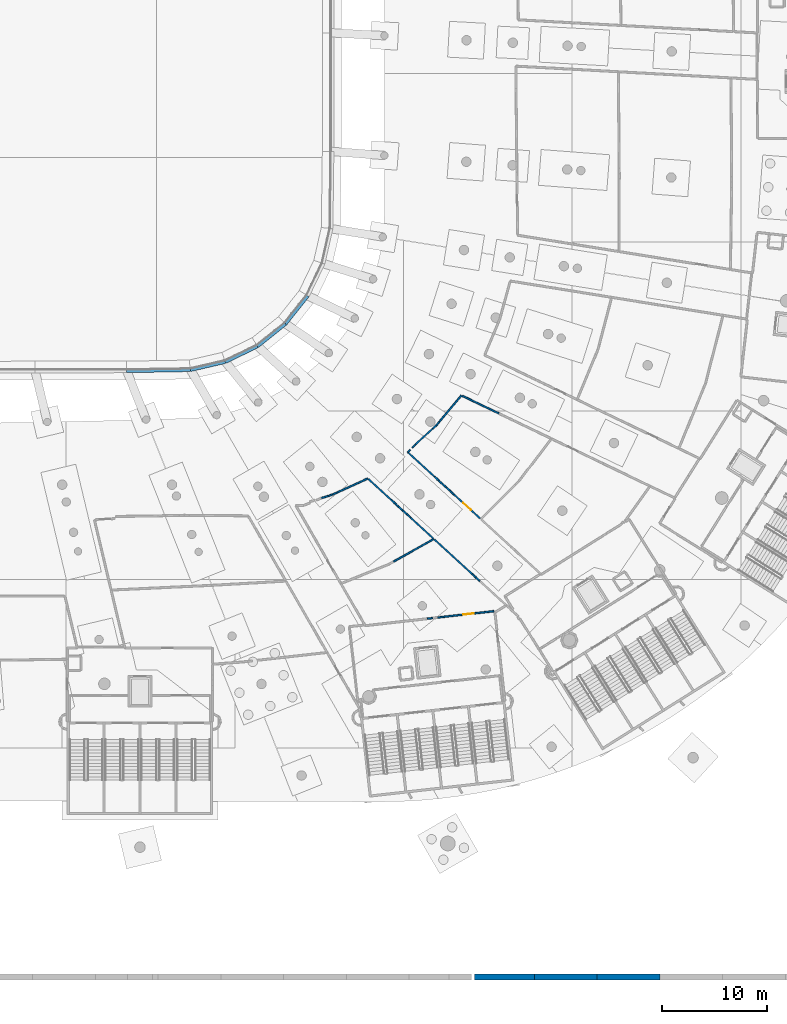
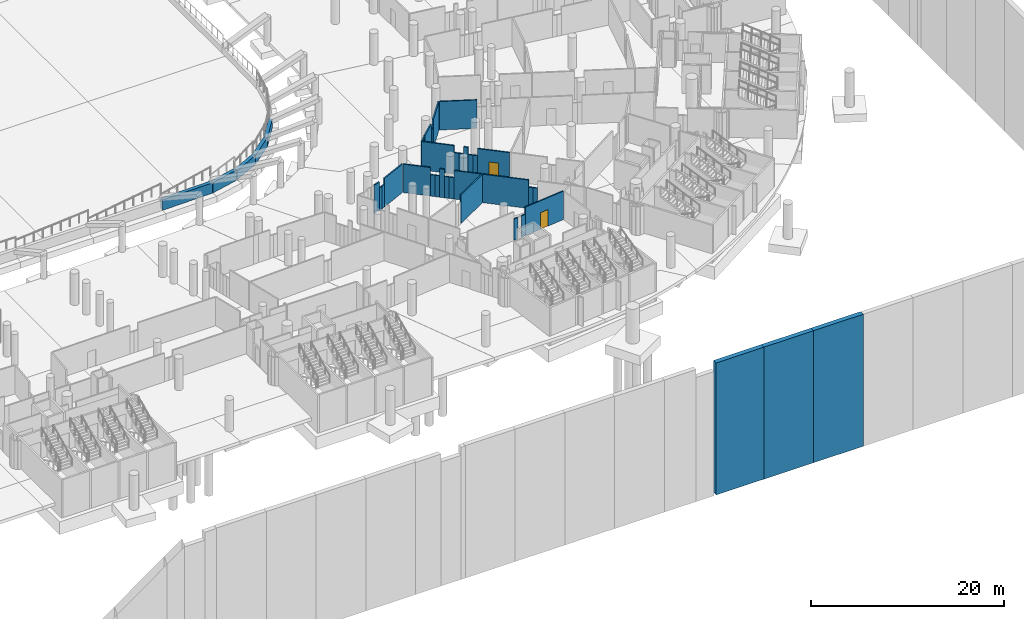
# One storey, part 54 of 142: 40 walls, 2 doors, 2 openings.
"""IFC4 building model written with IfcOpenShell, lengths in metres."""

from ifc_helpers import new_model, si_unit, direction, frame, frame_2d, origin, place, context, subcontext, project, spatial, rectangle, extrude, material, layer, layer_set, type_object, element, fill, save


model = new_model("IFC4")

# Units and contexts
model_context = context("Model", 3, precision=1e-05, world=origin(), true_north=direction((0.0, 1.0)))
body_context = subcontext(model_context, "Body", "Model", "MODEL_VIEW")
ifc_project = project(units=[si_unit("LENGTHUNIT", "METRE"), si_unit("AREAUNIT", "SQUARE_METRE"), si_unit("VOLUMEUNIT", "CUBIC_METRE"), si_unit("PLANEANGLEUNIT", "RADIAN"), si_unit("MASSUNIT", "GRAM", prefix="KILO")], contexts=[model_context])

# Site, building, storey
site_placement = place(None, origin())
site = spatial("IfcSite", under=ifc_project, at=site_placement, CompositionType="ELEMENT")
building_placement = place(site_placement, origin())
building = spatial("IfcBuilding", under=site, at=building_placement, Name="Meseta Stadium", CompositionType="ELEMENT")
storey_placement = place(building_placement, frame((0.0, 0.0, -4.0)))
storey = spatial("IfcBuildingStorey", under=building, at=storey_placement, Name="B1", CompositionType="ELEMENT", Elevation=-4.0)

# Walls
ifc_material_1 = material(Name="Masonry blockwork", Category="masonry")
ifc_layer_1 = layer(ifc_material_1, 0.14990234375)
ifc_layer_set_1 = layer_set([ifc_layer_1], Name="Partition 150")
wall_type_1 = type_object("IfcWallType", Name="Partition 150", PredefinedType="PARTITIONING", material=ifc_layer_set_1)
wall_1_placement = place(storey_placement, frame((50.88330078125, -76.15673828125, 0.0), z_axis=(0.0, 0.0, 1.0), x_axis=(-0.871726265014, -0.489993182487, 0.0)))
element("IfcWall", 1, at=wall_1_placement, inside=storey, type_object=wall_type_1, Name="Partition B1 B1-cell25-1-0", PredefinedType="PARTITIONING", context=body_context, shape_type="SweptSolid", body=[
    extrude(rectangle(XDim=4.4111328125, YDim=0.14990234375, at=frame_2d((2.20556640625, 0.0))), origin(), (0.0, 0.0, 1.0), 3.60009765625),
])
wall_2_placement = place(storey_placement, frame((40.189697265625, -72.285888671875, 0.0), z_axis=(0.0, 0.0, 1.0), x_axis=(0.954261887415, 0.298971989035, 0.0)))
element("IfcWall", 2, at=wall_2_placement, inside=storey, type_object=wall_type_1, Name="Partition B1 B1-cell25-1-0", PredefinedType="PARTITIONING", context=body_context, shape_type="SweptSolid", body=[
    extrude(rectangle(XDim=0.7578125, YDim=0.14990234375, at=frame_2d((0.37890625, 0.0))), origin(), (0.0, 0.0, 1.0), 3.60009765625),
])
wall_3_placement = place(storey_placement, frame((40.912841796875, -72.059326171875, 0.0), z_axis=(0.0, 0.0, 1.0), x_axis=(0.954319427846, 0.298788268907, 0.0)))
element("IfcWall", 3, at=wall_3_placement, inside=storey, type_object=wall_type_1, Name="Partition B1 B1-cell25-1-0", PredefinedType="PARTITIONING", context=body_context, shape_type="SweptSolid", body=[
    extrude(rectangle(XDim=0.379150390625, YDim=0.14990234375, at=frame_2d((0.189453125, 0.0))), origin(), (0.0, 0.0, 1.0), 2.85009765625),
])
wall_4_placement = place(storey_placement, frame((41.274658203125, -71.946044921875, 0.0), z_axis=(0.0, 0.0, 1.0), x_axis=(0.909417011364, 0.415885440285, 0.0)))
element("IfcWall", 4, at=wall_4_placement, inside=storey, type_object=wall_type_1, Name="Partition B1 B1-cell25-1-0", PredefinedType="PARTITIONING", context=body_context, shape_type="SweptSolid", body=[
    extrude(rectangle(XDim=0.458984375, YDim=0.14990234375, at=frame_2d((0.2294921875, 0.0))), origin(), (0.0, 0.0, 1.0), 2.85009765625),
])
wall_5_placement = place(storey_placement, frame((41.692138671875, -71.755126953125, 0.0), z_axis=(0.0, 0.0, 1.0), x_axis=(0.909581934744, 0.415524612975, 0.0)))
element("IfcWall", 5, at=wall_5_placement, inside=storey, type_object=wall_type_1, Name="Partition B1 B1-cell25-1-0", PredefinedType="PARTITIONING", context=body_context, shape_type="SweptSolid", body=[
    extrude(rectangle(XDim=3.21435546875, YDim=0.14990234375, at=frame_2d((1.607177734375, 0.0))), origin(), (0.0, 0.0, 1.0), 3.60009765625),
])
wall_6_placement = place(storey_placement, frame((44.676025390625, -70.474609375, 0.0), z_axis=(0.0, 0.0, 1.0), x_axis=(0.737633349571, -0.675201482226, 0.0)))
element("IfcWall", 6, at=wall_6_placement, inside=storey, type_object=wall_type_1, Name="Partition B1 B1-cell25-1-0", PredefinedType="PARTITIONING", context=body_context, shape_type="SweptSolid", body=[
    extrude(rectangle(XDim=2.917236328125, YDim=0.14990234375, at=frame_2d((1.45849609375, 0.0))), origin(), (0.0, 0.0, 1.0), 3.60009765625),
])
wall_7_placement = place(storey_placement, frame((46.827880859375, -72.4443359375, 0.0), z_axis=(0.0, 0.0, 1.0), x_axis=(0.737660549035, -0.675171766588, 0.0)))
element("IfcWall", 7, at=wall_7_placement, inside=storey, type_object=wall_type_1, Name="Partition B1 B1-cell25-1-0", PredefinedType="PARTITIONING", context=body_context, shape_type="SweptSolid", body=[
    extrude(rectangle(XDim=0.5, YDim=0.14990234375, at=frame_2d((0.25, 0.0))), origin(), (0.0, 0.0, 1.0), 2.699951171875),
])
wall_8_placement = place(storey_placement, frame((47.19677734375, -72.781982421875, 0.0), z_axis=(0.0, 0.0, 1.0), x_axis=(0.737458354514, -0.675392608309, 0.0)))
element("IfcWall", 8, at=wall_8_placement, inside=storey, type_object=wall_type_1, Name="Partition B1 B1-cell25-1-0", PredefinedType="PARTITIONING", context=body_context, shape_type="SweptSolid", body=[
    extrude(rectangle(XDim=0.49951171875, YDim=0.14990234375, at=frame_2d((0.249755859375, 0.0))), origin(), (0.0, 0.0, 1.0), 2.699951171875),
])
wall_9_placement = place(storey_placement, frame((47.565185546875, -73.119384765625, 0.0), z_axis=(0.0, 0.0, 1.0), x_axis=(0.73790372497, -0.674905988027, 0.0)))
element("IfcWall", 9, at=wall_9_placement, inside=storey, type_object=wall_type_1, Name="Partition B1 B1-cell25-1-0", PredefinedType="PARTITIONING", context=body_context, shape_type="SweptSolid", body=[
    extrude(rectangle(XDim=0.5, YDim=0.14990234375, at=frame_2d((0.25, 0.0))), origin(), (0.0, 0.0, 1.0), 3.60009765625),
])
wall_10_placement = place(storey_placement, frame((47.93408203125, -73.456787109375, 0.0), z_axis=(0.0, 0.0, 1.0), x_axis=(0.737681160119, -0.675149247208, 0.0)))
element("IfcWall", 10, at=wall_10_placement, inside=storey, type_object=wall_type_1, Name="Partition B1 B1-cell25-1-0", PredefinedType="PARTITIONING", context=body_context, shape_type="SweptSolid", body=[
    extrude(rectangle(XDim=0.499755859375, YDim=0.14990234375, at=frame_2d((0.25, 0.0))), origin(), (0.0, 0.0, 1.0), 2.699951171875),
])
wall_11_placement = place(storey_placement, frame((48.302734375, -73.794189453125, 0.0), z_axis=(0.0, 0.0, 1.0), x_axis=(0.737437882339, -0.67541496111, 0.0)))
element("IfcWall", 11, at=wall_11_placement, inside=storey, type_object=wall_type_1, Name="Partition B1 B1-cell25-1-0", PredefinedType="PARTITIONING", context=body_context, shape_type="SweptSolid", body=[
    extrude(rectangle(XDim=0.5, YDim=0.14990234375, at=frame_2d((0.25, 0.0))), origin(), (0.0, 0.0, 1.0), 2.699951171875),
])
wall_12_placement = place(storey_placement, frame((48.67138671875, -74.1318359375, 0.0), z_axis=(0.0, 0.0, 1.0), x_axis=(0.737605152987, -0.675232284689, 0.0)))
element("IfcWall", 12, at=wall_12_placement, inside=storey, type_object=wall_type_1, Name="Partition B1 B1-cell25-1-0", PredefinedType="PARTITIONING", context=body_context, shape_type="SweptSolid", body=[
    extrude(rectangle(XDim=2.919921875, YDim=0.14990234375, at=frame_2d((1.4599609375, 0.0))), origin(), (0.0, 0.0, 1.0), 3.60009765625),
])
wall_13_placement = place(storey_placement, frame((50.920166015625, -76.1904296875, 0.0), z_axis=(0.0, 0.0, 1.0), x_axis=(0.737613311295, -0.675223372671, 0.0)))
element("IfcWall", 13, at=wall_13_placement, inside=storey, type_object=wall_type_1, Name="Partition B1 B1-cell25-2-0", PredefinedType="PARTITIONING", context=body_context, shape_type="SweptSolid", body=[
    extrude(rectangle(XDim=4.875732421875, YDim=0.14990234375, at=frame_2d((2.43798828125, 0.0))), origin(), (0.0, 0.0, 1.0), 3.60009765625),
])
for number, where, z_axis, x_axis, name in (
    (14, (54.5166015625, -79.482666015625, 0.0), (0.0, 0.0, 1.0), (0.737465790757, -0.675384488616, 0.0), "Partition B1 B1-cell25-2-0"),
    (15, (54.876220703125, -79.81201171875, 0.0), (0.0, 0.0, 1.0), (0.737715187833, -0.675112065987, 0.0), "Partition B1 B1-cell25-2-0"),
):
    element("IfcWall", number, at=place(storey_placement, frame(where, z_axis=z_axis, x_axis=x_axis)), inside=storey, type_object=wall_type_1, Name=name, PredefinedType="PARTITIONING", context=body_context, shape_type="SweptSolid", body=[
        extrude(rectangle(XDim=0.487548828125, YDim=0.14990234375, at=frame_2d((0.24365234375, 0.0))), origin(), (0.0, 0.0, 1.0), 2.699951171875),
    ])

# Wall, opening, door
wall_14_placement = place(storey_placement, frame((56.587158203125, -83.007080078125, 0.0), z_axis=(0.0, 0.0, 1.0), x_axis=(-0.993710844617, -0.111976592605, 0.0)))
wall_14 = element("IfcWall", 16, at=wall_14_placement, inside=storey, type_object=wall_type_1, Name="Partition B1 B1-cell25-2-0", PredefinedType="PARTITIONING", context=body_context, shape_type="SweptSolid", body=[
    extrude(rectangle(XDim=4.873046875, YDim=0.14990234375, at=frame_2d((2.4365234375, 0.0))), origin(), (0.0, 0.0, 1.0), 3.60009765625),
])
opening_1_placement = place(wall_14_placement, frame((1.949951171875, 0.0, 0.0)))
opening_1 = element("IfcOpeningElement", 17, at=opening_1_placement, cuts=wall_14, Name="Opening D505", PredefinedType="OPENING", context=body_context, shape_type="SweptSolid", body=[
    extrude(rectangle(XDim=1.0, YDim=2.10009765625, at=frame_2d((0.5, 1.050048828125))), frame((0.0, 0.0849609375, 0.0), z_axis=(0.0, -1.0, 0.0), x_axis=(1.0, 0.0, 0.0)), (0.0, 0.0, 1.0), 0.169921875),
])
ifc_material_2 = material(Name="Steel", Category="steel")
door_type_1 = type_object("IfcDoorType", Name="Fire door 1000x2100 EI2 120", OperationType="NOTDEFINED", PredefinedType="DOOR", material=ifc_material_2)
door_1_placement = place(opening_1_placement, origin())
door_1 = element("IfcDoor", 18, at=door_1_placement, inside=storey, type_object=door_type_1, Name="Door D505", OperationType="SINGLE_SWING_LEFT", OverallHeight=2.10009765625, OverallWidth=1.0, PredefinedType="DOOR", context=body_context, shape_type="SweptSolid", body=[
    extrude(rectangle(XDim=1.0, YDim=2.10009765625, at=frame_2d((0.5, 1.050048828125))), frame((0.0, 0.02490234375, 0.0), z_axis=(0.0, -1.0, 0.0), x_axis=(1.0, 0.0, 0.0)), (0.0, 0.0, 1.0), 0.050048828125),
])
fill(opening_1, door_1)

# Walls
for number, where, z_axis, x_axis, name in (
    (19, (51.744873046875, -83.552734375, 0.0), (0.0, 0.0, 1.0), (-0.993707998725, -0.112001844941, 0.0), "Partition B1 B1-cell25-2-0"),
    (20, (50.761474609375, -83.66357421875, 0.0), (0.0, 0.0, 1.0), (-0.993707998725, -0.112001844941, 0.0), "Partition B1 B1-cell25-2-0"),
):
    element("IfcWall", number, at=place(storey_placement, frame(where, z_axis=z_axis, x_axis=x_axis)), inside=storey, type_object=wall_type_1, Name=name, PredefinedType="PARTITIONING", context=body_context, shape_type="SweptSolid", body=[
        extrude(rectangle(XDim=0.494873046875, YDim=0.14990234375, at=frame_2d((0.24755859375, 0.0))), origin(), (0.0, 0.0, 1.0), 2.699951171875),
    ])

# Wall, opening, door
wall_15_placement = place(storey_placement, frame((55.28955078125, -74.22509765625, 0.0), z_axis=(0.0, 0.0, 1.0), x_axis=(-0.737592778543, 0.675245801942, 0.0)))
wall_15 = element("IfcWall", 21, at=wall_15_placement, inside=storey, type_object=wall_type_1, Name="Partition B1 B1-cell26-1-0", PredefinedType="PARTITIONING", context=body_context, shape_type="SweptSolid", body=[
    extrude(rectangle(XDim=3.39501953125, YDim=0.14990234375, at=frame_2d((1.697509765625, 0.0))), origin(), (0.0, 0.0, 1.0), 3.60009765625),
])
opening_2_placement = place(wall_15_placement, frame((1.199951171875, 0.0, 0.0)))
opening_2 = element("IfcOpeningElement", 22, at=opening_2_placement, cuts=wall_15, Name="Opening D507", PredefinedType="OPENING", context=body_context, shape_type="SweptSolid", body=[
    extrude(rectangle(XDim=1.0, YDim=2.10009765625, at=frame_2d((0.5, 1.050048828125))), frame((0.0, 0.0849609375, 0.0), z_axis=(0.0, -1.0, 0.0), x_axis=(1.0, 0.0, 0.0)), (0.0, 0.0, 1.0), 0.169921875),
])
ifc_material_3 = material(Name="Steel", Category="steel")
door_type_2 = type_object("IfcDoorType", Name="Fire door 1000x2100 EI2 60", OperationType="NOTDEFINED", PredefinedType="DOOR", material=ifc_material_3)
door_2_placement = place(opening_2_placement, origin())
door_2 = element("IfcDoor", 23, at=door_2_placement, inside=storey, type_object=door_type_2, Name="Door D507", OperationType="SINGLE_SWING_RIGHT", OverallHeight=2.10009765625, OverallWidth=1.0, PredefinedType="DOOR", context=body_context, shape_type="SweptSolid", body=[
    extrude(rectangle(XDim=1.0, YDim=2.10009765625, at=frame_2d((0.5, 1.050048828125))), frame((0.0, 0.02490234375, 0.0), z_axis=(0.0, -1.0, 0.0), x_axis=(1.0, 0.0, 0.0)), (0.0, 0.0, 1.0), 0.050048828125),
])
fill(opening_2, door_2)

# Walls
wall_16_placement = place(storey_placement, frame((52.785400390625, -71.9326171875, 0.0), z_axis=(0.0, 0.0, 1.0), x_axis=(-0.737685383135, 0.67514463303, 0.0)))
element("IfcWall", 24, at=wall_16_placement, inside=storey, type_object=wall_type_1, Name="Partition B1 B1-cell26-1-0", PredefinedType="PARTITIONING", context=body_context, shape_type="SweptSolid", body=[
    extrude(rectangle(XDim=0.495849609375, YDim=0.14990234375, at=frame_2d((0.248046875, 0.0))), origin(), (0.0, 0.0, 1.0), 2.699951171875),
])
wall_17_placement = place(storey_placement, frame((52.419677734375, -71.597900390625, 0.0), z_axis=(0.0, 0.0, 1.0), x_axis=(-0.737460793515, 0.675389945163, 0.0)))
element("IfcWall", 25, at=wall_17_placement, inside=storey, type_object=wall_type_1, Name="Partition B1 B1-cell26-1-0", PredefinedType="PARTITIONING", context=body_context, shape_type="SweptSolid", body=[
    extrude(rectangle(XDim=0.49560546875, YDim=0.14990234375, at=frame_2d((0.247802734375, 0.0))), origin(), (0.0, 0.0, 1.0), 2.699951171875),
])
wall_18_placement = place(storey_placement, frame((52.05419921875, -71.26318359375, 0.0), z_axis=(0.0, 0.0, 1.0), x_axis=(-0.737685383135, 0.67514463303, 0.0)))
element("IfcWall", 26, at=wall_18_placement, inside=storey, type_object=wall_type_1, Name="Partition B1 B1-cell26-1-0", PredefinedType="PARTITIONING", context=body_context, shape_type="SweptSolid", body=[
    extrude(rectangle(XDim=0.495849609375, YDim=0.14990234375, at=frame_2d((0.248046875, 0.0))), origin(), (0.0, 0.0, 1.0), 3.60009765625),
])
for number, where, z_axis, x_axis, name in (
    (27, (51.6884765625, -70.928466796875, 0.0), (0.0, 0.0, 1.0), (-0.737685383135, 0.67514463303, 0.0), "Partition B1 B1-cell26-1-0"),
    (28, (51.32275390625, -70.59375, 0.0), (0.0, 0.0, 1.0), (-0.737685383135, 0.67514463303, 0.0), "Partition B1 B1-cell26-1-0"),
):
    element("IfcWall", number, at=place(storey_placement, frame(where, z_axis=z_axis, x_axis=x_axis)), inside=storey, type_object=wall_type_1, Name=name, PredefinedType="PARTITIONING", context=body_context, shape_type="SweptSolid", body=[
        extrude(rectangle(XDim=0.495849609375, YDim=0.14990234375, at=frame_2d((0.248046875, 0.0))), origin(), (0.0, 0.0, 1.0), 2.699951171875),
    ])
wall_19_placement = place(storey_placement, frame((50.95703125, -70.259033203125, 0.0), z_axis=(0.0, 0.0, 1.0), x_axis=(-0.737621239647, 0.675214711645, 0.0)))
element("IfcWall", 29, at=wall_19_placement, inside=storey, type_object=wall_type_1, Name="Partition B1 B1-cell26-1-0", PredefinedType="PARTITIONING", context=body_context, shape_type="SweptSolid", body=[
    extrude(rectangle(XDim=3.469970703125, YDim=0.14990234375, at=frame_2d((1.73486328125, 0.0))), origin(), (0.0, 0.0, 1.0), 3.60009765625),
])
wall_20_placement = place(storey_placement, frame((48.3974609375, -67.916015625, 0.0), z_axis=(0.0, 0.0, 1.0), x_axis=(0.715528371605, 0.698583673892, 0.0)))
element("IfcWall", 30, at=wall_20_placement, inside=storey, type_object=wall_type_1, Name="Partition B1 B1-cell26-1-0", PredefinedType="PARTITIONING", context=body_context, shape_type="SweptSolid", body=[
    extrude(rectangle(XDim=0.31689453125, YDim=0.14990234375, at=frame_2d((0.158447265625, 0.0))), origin(), (0.0, 0.0, 1.0), 3.60009765625),
])
wall_21_placement = place(storey_placement, frame((48.827880859375, -67.49560546875, 0.0), z_axis=(0.0, 0.0, 1.0), x_axis=(0.70342811346, 0.710766409726, 0.0)))
element("IfcWall", 31, at=wall_21_placement, inside=storey, type_object=wall_type_1, Name="Partition B1 B1-cell26-1-0", PredefinedType="PARTITIONING", context=body_context, shape_type="SweptSolid", body=[
    extrude(rectangle(XDim=0.4658203125, YDim=0.14990234375, at=frame_2d((0.23291015625, 0.0))), origin(), (0.0, 0.0, 1.0), 3.60009765625),
])
wall_22_placement = place(storey_placement, frame((49.155517578125, -67.16455078125, 0.0), z_axis=(0.0, 0.0, 1.0), x_axis=(0.738911838094, 0.673802118967, 0.0)))
element("IfcWall", 32, at=wall_22_placement, inside=storey, type_object=wall_type_1, Name="Partition B1 B1-cell26-1-0", PredefinedType="PARTITIONING", context=body_context, shape_type="SweptSolid", body=[
    extrude(rectangle(XDim=2.193603515625, YDim=0.14990234375, at=frame_2d((1.0966796875, 0.0))), origin(), (0.0, 0.0, 1.0), 3.60009765625),
])
wall_23_placement = place(storey_placement, frame((50.7763671875, -65.6865234375, 0.0), z_axis=(0.0, 0.0, 1.0), x_axis=(0.738906956051, 0.673807472724, 0.0)))
element("IfcWall", 33, at=wall_23_placement, inside=storey, type_object=wall_type_1, Name="Partition B1 B1-cell26-1-0", PredefinedType="PARTITIONING", context=body_context, shape_type="SweptSolid", body=[
    extrude(rectangle(XDim=0.438720703125, YDim=0.14990234375, at=frame_2d((0.21923828125, 0.0))), origin(), (0.0, 0.0, 1.0), 2.85009765625),
])
wall_24_placement = place(storey_placement, frame((51.1005859375, -65.390869140625, 0.0), z_axis=(0.0, 0.0, 1.0), x_axis=(0.645425435236, 0.763823282933, 0.0)))
element("IfcWall", 34, at=wall_24_placement, inside=storey, type_object=wall_type_1, Name="Partition B1 B1-cell26-1-0", PredefinedType="PARTITIONING", context=body_context, shape_type="SweptSolid", body=[
    extrude(rectangle(XDim=0.466064453125, YDim=0.14990234375, at=frame_2d((0.23291015625, 0.0))), origin(), (0.0, 0.0, 1.0), 2.85009765625),
])
wall_25_placement = place(storey_placement, frame((51.4013671875, -65.034912109375, 0.0), z_axis=(0.0, 0.0, 1.0), x_axis=(0.64527787395, 0.76394794678, 0.0)))
element("IfcWall", 35, at=wall_25_placement, inside=storey, type_object=wall_type_1, Name="Partition B1 B1-cell26-1-0", PredefinedType="PARTITIONING", context=body_context, shape_type="SweptSolid", body=[
    extrude(rectangle(XDim=3.262939453125, YDim=0.14990234375, at=frame_2d((1.63134765625, 0.0))), origin(), (0.0, 0.0, 1.0), 3.60009765625),
])
wall_26_placement = place(storey_placement, frame((53.57666015625, -62.57568359375, 0.0), z_axis=(0.0, 0.0, 1.0), x_axis=(0.901195166142, -0.433413512159, 0.0)))
element("IfcWall", 36, at=wall_26_placement, inside=storey, type_object=wall_type_1, Name="Partition B1 B1-cell26-1-0", PredefinedType="PARTITIONING", context=body_context, shape_type="SweptSolid", body=[
    extrude(rectangle(XDim=3.906982421875, YDim=0.14990234375, at=frame_2d((1.95361328125, 0.0))), origin(), (0.0, 0.0, 1.0), 3.60009765625),
])
ifc_material_4 = material(Name="Concrete C40/50", Category="concrete")
ifc_layer_2 = layer(ifc_material_4, 0.39990234375)
ifc_layer_set_2 = layer_set([ifc_layer_2], Name="Pitch wall 400")
wall_type_2 = type_object("IfcWallType", Name="Pitch wall 400", PredefinedType="SOLIDWALL", material=ifc_layer_set_2)
wall_27_placement = place(storey_placement, frame((21.740478515625, -60.185791015625, -0.39990234375), z_axis=(0.0, 0.0, 1.0), x_axis=(0.999843268182, 0.017704210522, 0.0)))
element("IfcWall", 37, at=wall_27_placement, inside=storey, type_object=wall_type_2, Name="Pitch wall bay 50", PredefinedType="SOLIDWALL", context=body_context, shape_type="SweptSolid", body=[
    extrude(rectangle(XDim=6.0400390625, YDim=0.39990234375, at=frame_2d((3.02001953125, 0.0))), origin(), (0.0, 0.0, 1.0), 1.314453125),
])
wall_28_placement = place(storey_placement, frame((27.779541015625, -60.078857421875, -0.39990234375), z_axis=(0.0, 0.0, 1.0), x_axis=(0.974178208336, 0.225780465063, 0.0)))
element("IfcWall", 38, at=wall_28_placement, inside=storey, type_object=wall_type_2, Name="Pitch wall bay 51", PredefinedType="SOLIDWALL", context=body_context, shape_type="SweptSolid", body=[
    extrude(rectangle(XDim=3.3876953125, YDim=0.39990234375, at=frame_2d((1.69384765625, 0.0))), origin(), (0.0, 0.0, 1.0), 1.295654296875),
])
wall_29_placement = place(storey_placement, frame((31.079833984375, -59.31396484375, -0.39990234375), z_axis=(0.0, 0.0, 1.0), x_axis=(0.899795244886, 0.436312407893, 0.0)))
element("IfcWall", 39, at=wall_29_placement, inside=storey, type_object=wall_type_2, Name="Pitch wall bay 52", PredefinedType="SOLIDWALL", context=body_context, shape_type="SweptSolid", body=[
    extrude(rectangle(XDim=3.387451171875, YDim=0.39990234375, at=frame_2d((1.69384765625, 0.0))), origin(), (0.0, 0.0, 1.0), 1.15869140625),
])
for number, where, z_axis, x_axis, name in (
    (40, (34.1279296875, -57.8359375, -0.39990234375), (0.0, 0.0, 1.0), (0.780608604491, 0.625020164951, 0.0), "Pitch wall bay 53"),
    (41, (36.7724609375, -55.718505859375, -0.39990234375), (0.0, 0.0, 1.0), (0.622451335574, 0.782658504612, 0.0), "Pitch wall bay 54"),
):
    element("IfcWall", number, at=place(storey_placement, frame(where, z_axis=z_axis, x_axis=x_axis)), inside=storey, type_object=wall_type_2, Name=name, PredefinedType="SOLIDWALL", context=body_context, shape_type="SweptSolid", body=[
        extrude(rectangle(XDim=3.3876953125, YDim=0.39990234375, at=frame_2d((1.69384765625, 0.0))), origin(), (0.0, 0.0, 1.0), 1.15869140625),
    ])
ifc_material_5 = material(Name="Concrete C30/37", Category="concrete")
ifc_layer_3 = layer(ifc_material_5, 0.550048828125)
ifc_layer_set_3 = layer_set([ifc_layer_3], Name="Site retaining wall 550")
wall_type_3 = type_object("IfcWallType", Name="Site retaining wall 550", PredefinedType="SOLIDWALL", material=ifc_layer_set_3)
wall_30_placement = place(storey_placement, frame((54.719482421875, -117.72509765625, -13.0), z_axis=(0.0, 0.0, 1.0), x_axis=(1.0, 0.0, 0.0)))
element("IfcWall", 42, at=wall_30_placement, inside=storey, type_object=wall_type_3, Name="Site retaining wall 40", PredefinedType="SOLIDWALL", context=body_context, shape_type="SweptSolid", body=[
    extrude(rectangle(XDim=5.708740234375, YDim=0.550048828125, at=frame_2d((2.8544921875, 0.0))), origin(), (0.0, 0.0, 1.0), 16.699951171875),
])
for number, where, z_axis, x_axis, name in (
    (43, (60.42822265625, -117.72509765625, -13.0), (0.0, 0.0, 1.0), (1.0, 0.0, 0.0), "Site retaining wall 41"),
    (44, (66.380615234375, -117.72509765625, -13.0), (0.0, 0.0, 1.0), (1.0, 0.0, 0.0), "Site retaining wall 42"),
):
    element("IfcWall", number, at=place(storey_placement, frame(where, z_axis=z_axis, x_axis=x_axis)), inside=storey, type_object=wall_type_3, Name=name, PredefinedType="SOLIDWALL", context=body_context, shape_type="SweptSolid", body=[
        extrude(rectangle(XDim=5.952392578125, YDim=0.550048828125, at=frame_2d((2.97607421875, 0.0))), origin(), (0.0, 0.0, 1.0), 16.699951171875),
    ])

save(model, "model.ifc")
